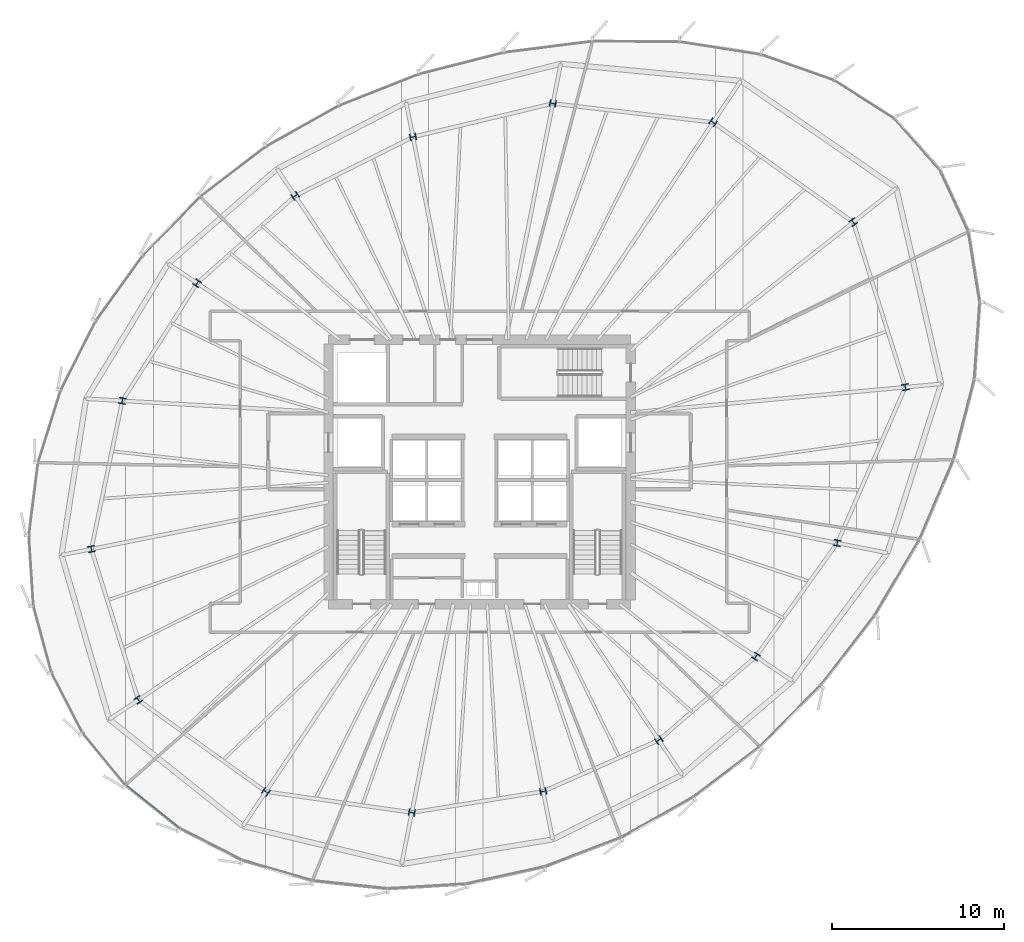
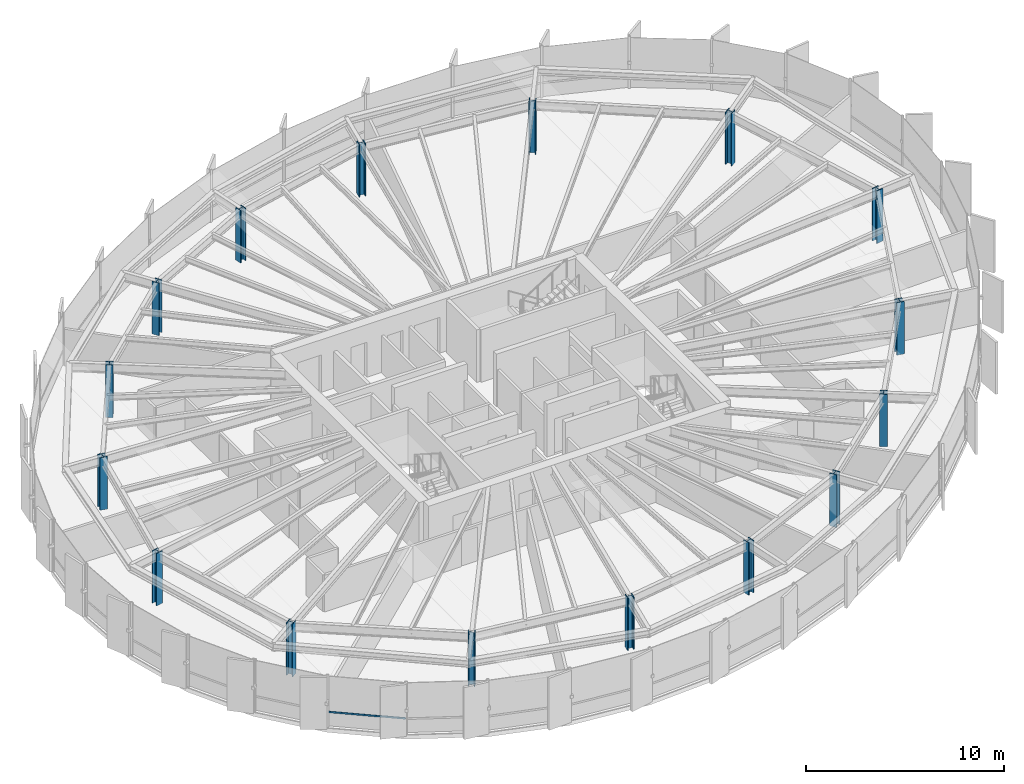
# One storey, part 1 of 35: 16 columns, 1 member, 1 element without a shape of its own.
"""IFC4 building model written with IfcOpenShell, lengths in metres."""

from ifc_helpers import new_model, si_unit, direction, frame, origin, origin_2d, place, context, subcontext, project, spatial, hollow_rectangle, i_section, extrude, source, transform, mapped, material, layer, layer_set, material_profile, profile_set, type_object, element, aggregate, save


model = new_model("IFC4")

# Units and contexts
model_context = context("Model", 3, precision=1e-05, world=origin(), true_north=direction((0.0, 1.0)))
body_context = subcontext(model_context, "Body", "Model", "MODEL_VIEW")
ifc_project = project(units=[si_unit("LENGTHUNIT", "METRE"), si_unit("AREAUNIT", "SQUARE_METRE"), si_unit("VOLUMEUNIT", "CUBIC_METRE"), si_unit("PLANEANGLEUNIT", "RADIAN"), si_unit("MASSUNIT", "GRAM", prefix="KILO"), si_unit("THERMODYNAMICTEMPERATUREUNIT", "KELVIN")], contexts=[model_context])

# Site, building, storey
site_placement = place(None, origin())
site = spatial("IfcSite", under=ifc_project, at=site_placement, CompositionType="ELEMENT")
building_placement = place(site_placement, origin())
building = spatial("IfcBuilding", under=site, at=building_placement, Name="Kethvar Cultural Tower", CompositionType="ELEMENT")
storey_placement = place(building_placement, frame((0.0, 0.0, 167.85009765625)))
storey = spatial("IfcBuildingStorey", under=building, at=storey_placement, Name="L43", CompositionType="ELEMENT", Elevation=167.85009765625)

# Columns
ifc_material_1 = material(Name="Steel S460M", Category="steel")
ifc_material_profile_1 = material_profile(ifc_material_1, i_section(OverallWidth=0.39697265625, OverallDepth=0.364990234375, WebThickness=0.028076171875, FlangeThickness=0.0439453125, FilletRadius=0.014892578125, at=origin_2d()), Name="Steel S460M — HD400x592")
ifc_profile_set_1 = profile_set([ifc_material_profile_1], Name="Steel S460M — HD400x592")
column_type = type_object("IfcColumnType", Name="COL-HD592", PredefinedType="COLUMN", material=ifc_profile_set_1)
shared_shape_1 = source(origin(), body_context, "Body", "SweptSolid", [
    extrude(i_section(OverallWidth=0.39697265625, OverallDepth=0.364990234375, WebThickness=0.028076171875, FlangeThickness=0.0439453125, FilletRadius=0.014892578125, at=origin_2d()), origin(), (0.0, 0.0, 1.0), 3.239990234375),
])
for number, where, z_axis, x_axis, name in (
    (1, (71.6025390625, 32.7333984375, 0.0), (0.0, 0.0, 1.0), (0.980785280403, 0.195090322016, 0.0), "L43 Mega-Column MC-01"),
    (2, (68.568603515625, 42.34521484375, 0.0), (0.0, 0.0, 1.0), (0.831469612303, 0.55557023302, 0.0), "L43 Mega-Column MC-02"),
    (3, (60.40478515625, 48.160888671875, 0.0), (0.0, 0.0, 1.0), (0.55557023302, 0.831469612303, 0.0), "L43 Mega-Column MC-03"),
    (4, (51.068603515625, 49.25927734375, 0.0), (0.0, 0.0, 1.0), (0.195090322016, 0.980785280403, 0.0), "L43 Mega-Column MC-04"),
    (5, (42.9189453125, 47.311279296875, 0.0), (0.0, 0.0, 1.0), (-0.195090322016, 0.980785280403, 0.0), "L43 Mega-Column MC-05"),
    (6, (36.0576171875, 43.877197265625, 0.0), (0.0, 0.0, 1.0), (-0.55557023302, 0.831469612303, 0.0), "L43 Mega-Column MC-06"),
    (7, (30.345947265625, 38.794189453125, 0.0), (0.0, 0.0, 1.0), (-0.831469612303, 0.55557023302, 0.0), "L43 Mega-Column MC-07"),
    (8, (25.988525390625, 31.939697265625, 0.0), (0.0, 0.0, 1.0), (-0.980785280403, 0.195090322016, 0.0), "L43 Mega-Column MC-08"),
    (9, (24.185302734375, 23.3017578125, 0.0), (0.0, 0.0, 1.0), (-0.980785280403, -0.195090322016, 0.0), "L43 Mega-Column MC-09"),
    (10, (26.920654296875, 14.51708984375, 0.0), (0.0, 0.0, 1.0), (-0.831469612303, -0.55557023302, 0.0), "L43 Mega-Column MC-10"),
    (11, (34.350830078125, 9.16845703125, 0.0), (0.0, 0.0, 1.0), (-0.55557023302, -0.831469612303, 0.0), "L43 Mega-Column MC-11"),
    (12, (42.852294921875, 7.95361328125, 0.0), (0.0, 0.0, 1.0), (-0.195090322016, -0.980785280403, 0.0), "L43 Mega-Column MC-12"),
    (13, (50.50341796875, 9.182373046875, 0.0), (0.0, 0.0, 1.0), (0.195090322016, -0.980785280403, 0.0), "L43 Mega-Column MC-13"),
    (14, (57.241943359375, 12.17236328125, 0.0), (0.0, 0.0, 1.0), (0.55557023302, -0.831469612303, 0.0), "L43 Mega-Column MC-14"),
    (15, (62.898681640625, 17.043212890625, 0.0), (0.0, 0.0, 1.0), (0.831469612303, -0.55557023302, 0.0), "L43 Mega-Column MC-15"),
    (16, (67.638671875, 23.65478515625, 0.0), (0.0, 0.0, 1.0), (0.980785280403, -0.195090322016, 0.0), "L43 Mega-Column MC-16"),
):
    element("IfcColumn", number, at=place(storey_placement, frame(where, z_axis=z_axis, x_axis=x_axis)), inside=storey, type_object=column_type, Name=name, PredefinedType="COLUMN", context=body_context, shape_type="MappedRepresentation", body=[
        mapped(shared_shape_1, transform((0.0, 0.0, 0.0), scale=1.0)),
    ])

# Curtain wall, member
ifc_material_2 = material(Name="Aluminium 6063-T6", Category="aluminium")
ifc_layer = layer(ifc_material_2, 0.179931640625, Name="Aluminium 6063-T6", Category="aluminium")
ifc_layer_set = layer_set([ifc_layer], Name="Aluminium 6063-T6 (180 mm)")
curtain_wall_type = type_object("IfcCurtainWallType", Name="CW-SYS-04-Z34", PredefinedType="NOTDEFINED", material=ifc_layer_set)
curtain_wall_placement = place(storey_placement, origin())
curtain_wall = element("IfcCurtainWall", 17, at=curtain_wall_placement, inside=storey, type_object=curtain_wall_type, Name="L43 Curtain Wall Run 04", PredefinedType="NOTDEFINED")
ifc_material_profile_2 = material_profile(ifc_material_2, hollow_rectangle(XDim=0.050048828125, YDim=0.10009765625, WallThickness=0.00390625, at=origin_2d()), Name="Aluminium 6063-T6 — RHS100x50x4")
ifc_profile_set_2 = profile_set([ifc_material_profile_2], Name="Aluminium 6063-T6 — RHS100x50x4")
member_type = type_object("IfcMemberType", Name="CW-SYS-04-Z34-TRN", PredefinedType="USERDEFINED", material=ifc_profile_set_2)
shared_shape_2 = source(origin(), body_context, "Body", "SweptSolid", [
    extrude(hollow_rectangle(XDim=0.050048828125, YDim=0.10009765625, WallThickness=0.00390625, at=origin_2d()), origin(), (0.0, 0.0, 1.0), 3.94677734375),
])
member_placement = place(storey_placement, frame((26.212646484375, 9.5380859375, 0.949951171875), z_axis=(0.781538258156, -0.62385731625, 0.0), x_axis=(0.62385731625, 0.781538258156, 0.0)))
member = element("IfcMember", 18, at=member_placement, type_object=member_type, Name="CW-L43-R04 Transom 2", ObjectType="TRANSOM", PredefinedType="USERDEFINED", context=body_context, shape_type="MappedRepresentation", body=[
    mapped(shared_shape_2, transform((0.0, 0.0, 0.0), scale=1.0)),
])
aggregate(curtain_wall, [member])

save(model, "model.ifc")
